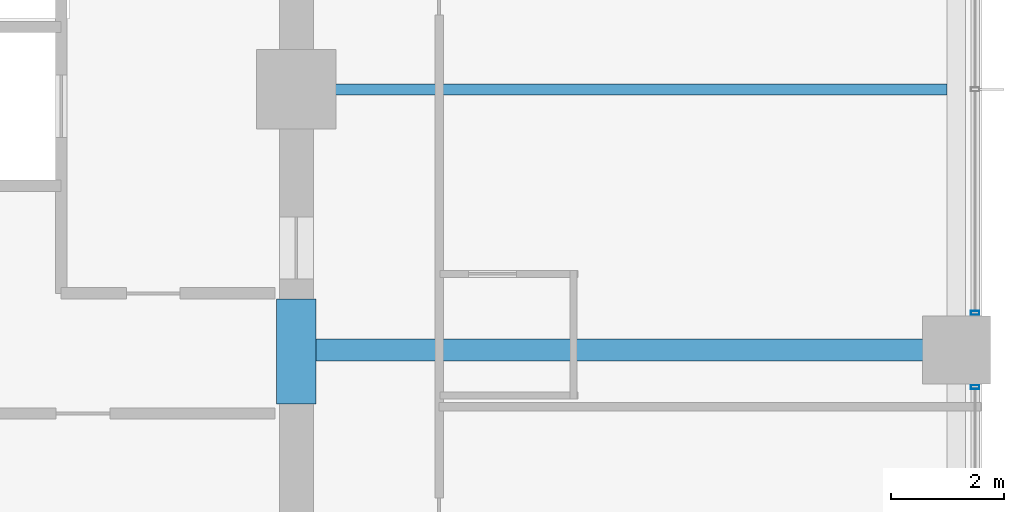
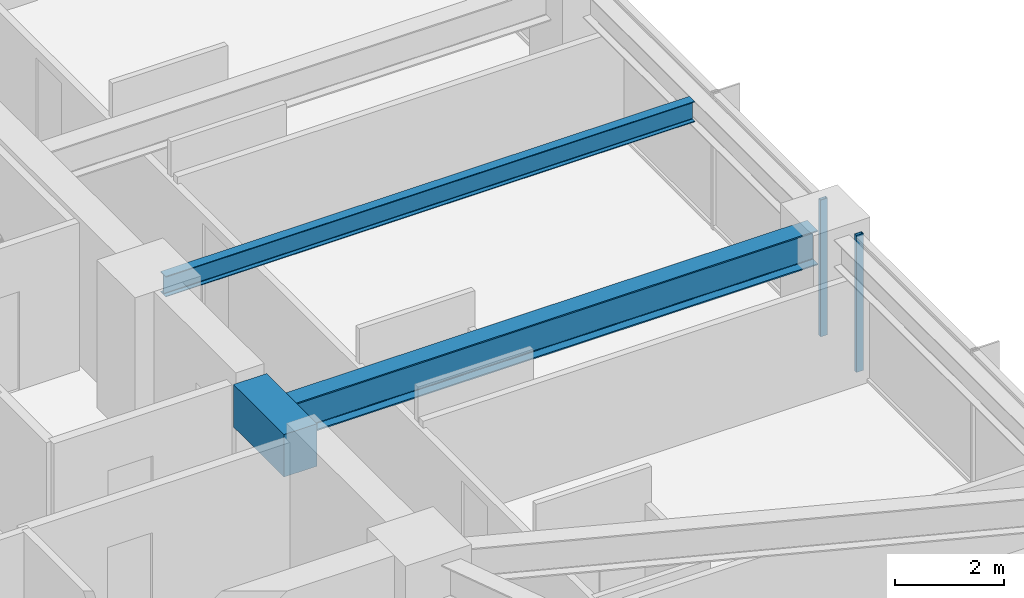
# One storey, part 14 of 38: 3 beams, 2 members, 2 elements without a shape of their own.
"""IFC4 building model written with IfcOpenShell, lengths in metres."""

import ifcopenshell
import ifcopenshell.guid

model = None  # the IFC model being written
_history = None  # IfcOwnerHistory: only IFC2X3 demands one
_inside = {}  # id of a spatial element -> (the spatial element, [elements in it])
_under = {}  # id of a project, library or spatial element -> (it, [spatial elements below it])
_declared = {}  # id of a project -> (the project, [libraries it declares])
_typed = {}  # id of a type object -> (the type object, [elements of that type])
_made_of = {}  # id of a material, layer set ... -> (it, [elements and type objects made of it])


def new_model(schema):
    """Start an empty IFC model of exactly this schema.

    Asked for "IFC4X3", IfcOpenShell would pick the latest addendum, in which some entities
    have other attributes; the version numbers below select the first issue.
    IFC2X3 requires an IfcOwnerHistory on every rooted entity: one is made here for all.
    """
    global model, _history
    if schema == "IFC4X3":
        model = ifcopenshell.file(schema_version=(4, 3, 0, 0))
    else:
        model = ifcopenshell.file(schema=schema)
    _inside.clear()
    _under.clear()
    _declared.clear()
    _typed.clear()
    _made_of.clear()
    _history = None
    if model.schema == "IFC2X3":
        org = make("IfcOrganization", Name="unknown")
        user = make(
            "IfcPersonAndOrganization",
            ThePerson=make("IfcPerson", FamilyName="unknown"),
            TheOrganization=org,
        )
        app = make(
            "IfcApplication",
            ApplicationDeveloper=org,
            Version="unknown",
            ApplicationFullName="unknown",
            ApplicationIdentifier="unknown",
        )
        _history = make(
            "IfcOwnerHistory",
            OwningUser=user,
            OwningApplication=app,
            ChangeAction="ADDED",
            CreationDate=0,
        )
    return model


def make(cls, **values):
    """One entity of the class cls with the attributes given. An attribute that is None is left unset."""
    return model.create_entity(
        cls, **{name: value for name, value in values.items() if value is not None}
    )


def rooted(cls, **values):
    """An entity with a GlobalId (a new one), such as an element, a storey or a relation."""
    return make(cls, GlobalId=ifcopenshell.guid.new(), OwnerHistory=_history, **values)


def si_unit(unit_type, name, prefix=None):
    """IfcSIUnit, for example si_unit("LENGTHUNIT", "METRE", prefix="MILLI")."""
    return make("IfcSIUnit", UnitType=unit_type, Prefix=prefix, Name=name)


def assignment(units):
    """IfcUnitAssignment: the units of a project."""
    return None if units is None else make("IfcUnitAssignment", Units=units)


def point(xyz):
    """IfcCartesianPoint."""
    return None if xyz is None else make("IfcCartesianPoint", Coordinates=xyz)


def direction(xyz):
    """IfcDirection."""
    return None if xyz is None else make("IfcDirection", DirectionRatios=xyz)


def frame(location, z_axis=None, x_axis=None):
    """IfcAxis2Placement3D, a coordinate frame: its origin and axes. An axis left out is left unset."""
    return make(
        "IfcAxis2Placement3D",
        Location=point(location),
        Axis=direction(z_axis),
        RefDirection=direction(x_axis),
    )


def frame_2d(location, x_axis=None):
    """IfcAxis2Placement2D, a coordinate frame in the plane: its origin and x axis."""
    return make(
        "IfcAxis2Placement2D", Location=point(location), RefDirection=direction(x_axis)
    )


def origin():
    """The frame at (0, 0, 0) with its axes left unset."""
    return frame((0.0, 0.0, 0.0))


def origin_2d():
    """The frame at (0, 0) in the plane with its x axis left unset."""
    return frame_2d((0.0, 0.0))


def place(relative_to, where):
    """IfcLocalPlacement: puts the frame where relative to a parent placement (None: the world)."""
    return make(
        "IfcLocalPlacement", PlacementRelTo=relative_to, RelativePlacement=where
    )


def context(
    kind, dimensions, precision=None, world=None, true_north=None, identifier=None
):
    """IfcGeometricRepresentationContext, for example the 3D "Model" context."""
    return make(
        "IfcGeometricRepresentationContext",
        ContextIdentifier=identifier,
        ContextType=kind,
        CoordinateSpaceDimension=dimensions,
        Precision=precision,
        WorldCoordinateSystem=world,
        TrueNorth=true_north,
    )


def subcontext(parent, identifier, kind, view, scale=None):
    """IfcGeometricRepresentationSubContext, for example "Body" below "Model"."""
    return make(
        "IfcGeometricRepresentationSubContext",
        ContextIdentifier=identifier,
        ContextType=kind,
        ParentContext=parent,
        TargetScale=scale,
        TargetView=view,
    )


def project(units=None, contexts=None):
    """IfcProject with its units and contexts."""
    return rooted(
        "IfcProject",
        Name="project",
        RepresentationContexts=contexts,
        UnitsInContext=assignment(units),
    )


def spatial(cls, under=None, at=None, **own):
    """A site, building, storey or space (cls), placed at a placement, below another one or the project."""
    s = rooted(cls, ObjectPlacement=at, **own)
    if under is not None:
        _under.setdefault(under.id(), (under, []))[1].append(s)
    return s


def profile(cls, at=None, kind="AREA", **sizes):
    """A parametric profile (cls). Its sizes go by their IFC names, for example OverallWidth=200.0."""
    return make(cls, ProfileType=kind, Position=at, **sizes)


def rectangle(**sizes):
    """IfcRectangleProfileDef."""
    return profile("IfcRectangleProfileDef", **sizes)


def hollow_rectangle(**sizes):
    """IfcRectangleHollowProfileDef."""
    return profile("IfcRectangleHollowProfileDef", **sizes)


def i_section(**sizes):
    """IfcIShapeProfileDef."""
    return profile("IfcIShapeProfileDef", **sizes)


def extrude(swept, where, along, depth):
    """IfcExtrudedAreaSolid: the profile swept, set in the frame where, extruded along a direction by depth."""
    return make(
        "IfcExtrudedAreaSolid",
        SweptArea=swept,
        Position=where,
        ExtrudedDirection=direction(along),
        Depth=depth,
    )


def shape(context_of_items, identifier, shape_type, items):
    """IfcShapeRepresentation: the items that make up one representation, for example the "Body"."""
    return make(
        "IfcShapeRepresentation",
        ContextOfItems=context_of_items,
        RepresentationIdentifier=identifier,
        RepresentationType=shape_type,
        Items=items,
    )


def material(Name=None, Category=None):
    """IfcMaterial."""
    return make("IfcMaterial", Name=Name, Category=Category)


def material_profile(
    of_material, cross_section, Name=None, Category=None, Priority=None
):
    """IfcMaterialProfile: a cross section and its material."""
    return make(
        "IfcMaterialProfile",
        Name=Name,
        Material=of_material,
        Profile=cross_section,
        Priority=Priority,
        Category=Category,
    )


def profile_set(profiles, Name=None, composite=None):
    """IfcMaterialProfileSet."""
    return make(
        "IfcMaterialProfileSet",
        Name=Name,
        MaterialProfiles=profiles,
        CompositeProfile=composite,
    )


def made_of(thing, what):
    """Note that an element or type object is made of a material, layer set ...; save() writes the relation."""
    if what is not None:
        _made_of.setdefault(what.id(), (what, []))[1].append(thing)
    return thing


def type_object(cls, material=None, **own):
    """A type object (cls), such as IfcWallType, which elements share."""
    return made_of(rooted(cls, **own), material)


def element(
    cls,
    number,
    at=None,
    inside=None,
    cuts=None,
    type_object=None,
    material=None,
    context=None,
    identifier="Body",
    shape_type=None,
    held_by="IfcProductDefinitionShape",
    body=None,
    shapes=None,
    **own,
):
    """One element of the class cls, such as IfcWall. Its Tag is "e" and its number.

    at: its placement. inside: the storey or other place that contains it. cuts: it is an
    opening in that element (IfcRelVoidsElement). A single representation is given by context,
    identifier, shape_type and body (its items); several are given by shapes. held_by: the class
    of the entity that holds the representations. save() writes the other relations.
    """
    e = rooted(cls, Tag="e%d" % number, ObjectPlacement=at, **own)
    if body is not None:
        shapes = [shape(context, identifier, shape_type, body)]
    if shapes is not None:
        e.Representation = make(held_by, Representations=shapes)
    if inside is not None:
        _inside.setdefault(inside.id(), (inside, []))[1].append(e)
    if cuts is not None:
        rooted(
            "IfcRelVoidsElement", RelatingBuildingElement=cuts, RelatedOpeningElement=e
        )
    if type_object is not None:
        _typed.setdefault(type_object.id(), (type_object, []))[1].append(e)
    return made_of(e, material)


def aggregate(whole, parts):
    """IfcRelAggregates: a whole, such as a stair, and the parts it consists of."""
    return rooted("IfcRelAggregates", RelatingObject=whole, RelatedObjects=parts)


def save(model, path):
    """Write the relations noted so far, then the file.

    IfcRelAggregates (storeys below a building ...), IfcRelContainedInSpatialStructure (elements
    in a storey), IfcRelDefinesByType, IfcRelAssociatesMaterial and IfcRelDeclares: one each for
    every whole, place, type object, material and project.
    """
    for whole, parts in _under.values():
        aggregate(whole, parts)
    for where, things in _inside.values():
        rooted(
            "IfcRelContainedInSpatialStructure",
            RelatedElements=things,
            RelatingStructure=where,
        )
    for kind, things in _typed.values():
        rooted("IfcRelDefinesByType", RelatedObjects=things, RelatingType=kind)
    for what, things in _made_of.values():
        rooted("IfcRelAssociatesMaterial", RelatedObjects=things, RelatingMaterial=what)
    for by, libraries in _declared.values():
        rooted("IfcRelDeclares", RelatingContext=by, RelatedDefinitions=libraries)
    model.write(path)


model = new_model("IFC4")

# Units and contexts
model_context = context("Model", 3, precision=1e-05, world=origin(), true_north=direction((0.0, 1.0)))
body_context = subcontext(model_context, "Body", "Model", "MODEL_VIEW")
ifc_project = project(units=[si_unit("LENGTHUNIT", "METRE"), si_unit("AREAUNIT", "SQUARE_METRE"), si_unit("VOLUMEUNIT", "CUBIC_METRE"), si_unit("PLANEANGLEUNIT", "RADIAN"), si_unit("MASSUNIT", "GRAM", prefix="KILO")], contexts=[model_context])

# Site, building, storey
site_placement = place(None, origin())
site = spatial("IfcSite", under=ifc_project, at=site_placement, CompositionType="ELEMENT")
building_placement = place(site_placement, origin())
building = spatial("IfcBuilding", under=site, at=building_placement, Name="Kolvaren Belvedere", CompositionType="ELEMENT")
storey_placement = place(building_placement, frame((0.0, 0.0, 27.10009765625)))
storey = spatial("IfcBuildingStorey", under=building, at=storey_placement, Name="L07", CompositionType="ELEMENT", Elevation=27.10009765625)

# Beams
ifc_material_1 = material(Name="Structural steel ASTM A992 Grade 50", Category="steel")
ifc_material_profile_1 = material_profile(ifc_material_1, i_section(OverallWidth=0.381103515625, OverallDepth=0.77294921875, WebThickness=0.0166015625, FlangeThickness=0.027099609375, FilletRadius=0.02392578125, at=origin_2d()), Name="W30X173")
ifc_profile_set_1 = profile_set([ifc_material_profile_1], Name="Structural steel ASTM A992 Grade 50")
beam_type_1 = type_object("IfcBeamType", Name="BM-GIRD-W30X173", PredefinedType="BEAM", material=ifc_profile_set_1)
beam_1_placement = place(storey_placement, frame((10.199951171875, -4.60009765625, 2.67333984375), z_axis=(1.0, 0.0, 0.0), x_axis=(0.0, 1.0, 0.0)))
element("IfcBeam", 1, at=beam_1_placement, inside=storey, type_object=beam_type_1, Name="L07 East Radial Girder M", PredefinedType="BEAM", context=body_context, shape_type="SweptSolid", body=[
    extrude(i_section(OverallWidth=0.381103515625, OverallDepth=0.77294921875, WebThickness=0.0166015625, FlangeThickness=0.027099609375, FilletRadius=0.02392578125, at=origin_2d()), origin(), (0.0, 0.0, 1.0), 11.080078125),
])
ifc_material_2 = material(Name="Structural steel ASTM A992 Grade 50", Category="steel")
ifc_material_profile_2 = material_profile(ifc_material_2, i_section(OverallWidth=0.19091796875, OverallDepth=0.4599609375, WebThickness=0.010009765625, FlangeThickness=0.01611328125, FilletRadius=0.014892578125, at=origin_2d()), Name="W18X55")
ifc_profile_set_2 = profile_set([ifc_material_profile_2], Name="Structural steel ASTM A992 Grade 50")
beam_type_2 = type_object("IfcBeamType", Name="BM-JOIST-W18X55", PredefinedType="BEAM", material=ifc_profile_set_2)
beam_2_placement = place(storey_placement, frame((10.199951171875, 0.0, 2.829833984375), z_axis=(1.0, 0.0, 0.0), x_axis=(0.0, 1.0, 0.0)))
element("IfcBeam", 2, at=beam_2_placement, inside=storey, type_object=beam_type_2, Name="L07 East Centre Floor Beam", PredefinedType="BEAM", context=body_context, shape_type="SweptSolid", body=[
    extrude(i_section(OverallWidth=0.19091796875, OverallDepth=0.4599609375, WebThickness=0.010009765625, FlangeThickness=0.01611328125, FilletRadius=0.014892578125, at=origin_2d()), origin(), (0.0, 0.0, 1.0), 11.1875),
])
ifc_material_3 = material(Name="Concrete C60/75", Category="concrete")
ifc_material_profile_3 = material_profile(ifc_material_3, rectangle(XDim=0.699951171875, YDim=0.949951171875, at=origin_2d()), Name="RC 700X950")
ifc_profile_set_3 = profile_set([ifc_material_profile_3], Name="Concrete C60/75")
beam_type_3 = type_object("IfcBeamType", Name="BM-LINT-950", PredefinedType="LINTEL", material=ifc_profile_set_3)
beam_3_placement = place(storey_placement, frame((9.89990234375, -5.550048828125, 2.5849609375), z_axis=(0.0, 1.0, 0.0), x_axis=(-1.0, 0.0, 0.0)))
element("IfcBeam", 3, at=beam_3_placement, inside=storey, type_object=beam_type_3, Name="L07 East Core Coupling Lintel", PredefinedType="LINTEL", context=body_context, shape_type="SweptSolid", body=[
    extrude(rectangle(XDim=0.699951171875, YDim=0.949951171875, at=origin_2d()), origin(), (0.0, 0.0, 1.0), 1.85009765625),
])

# Curtain wall, member
ifc_material_4 = material(Name="Anodised pale-metal aluminium AA 6063-T6", Category="aluminium")
curtain_wall_type = type_object("IfcCurtainWallType", Name="CW-Z1-LOW", PredefinedType="NOTDEFINED", material=ifc_material_4)
curtain_wall_1_placement = place(storey_placement, origin())
curtain_wall_1 = element("IfcCurtainWall", 4, at=curtain_wall_1_placement, inside=storey, type_object=curtain_wall_type, Name="L07 Unitised Curtain Wall FCW-L07-E-B2", PredefinedType="NOTDEFINED")
ifc_material_5 = material(Name="Anodised pale-metal aluminium AA 6063-T6", Category="aluminium")
ifc_material_profile_4 = material_profile(ifc_material_5, hollow_rectangle(XDim=0.070068359375, YDim=0.14990234375, WallThickness=0.004150390625, at=origin_2d()), Name="ALU-MUL-150X70")
ifc_profile_set_4 = profile_set([ifc_material_profile_4], Name="Anodised pale-metal aluminium AA 6063-T6")
member_type = type_object("IfcMemberType", Name="CW-MUL-150", PredefinedType="MULLION", material=ifc_profile_set_4)
member_1_placement = place(storey_placement, frame((21.8798828125, -3.945068359375, 0.0), z_axis=(0.0, 0.0, 1.0), x_axis=(0.0, 1.0, 0.0)))
member_1 = element("IfcMember", 5, at=member_1_placement, type_object=member_type, Name="FCW-L07-E-B2 Unitised Mullion 3", PredefinedType="MULLION", context=body_context, shape_type="SweptSolid", body=[
    extrude(hollow_rectangle(XDim=0.070068359375, YDim=0.14990234375, WallThickness=0.004150390625, at=origin_2d()), origin(), (0.0, 0.0, 1.0), 3.059814453125),
])
aggregate(curtain_wall_1, [member_1])

curtain_wall_2_placement = place(storey_placement, origin())
curtain_wall_2 = element("IfcCurtainWall", 6, at=curtain_wall_2_placement, inside=storey, type_object=curtain_wall_type, Name="L07 Unitised Curtain Wall FCW-L07-E-B3", PredefinedType="NOTDEFINED")
member_2_placement = place(storey_placement, frame((21.8798828125, -5.2548828125, 0.0), z_axis=(0.0, 0.0, 1.0), x_axis=(0.0, 1.0, 0.0)))
member_2 = element("IfcMember", 7, at=member_2_placement, type_object=member_type, Name="FCW-L07-E-B3 Unitised Mullion 1", PredefinedType="MULLION", context=body_context, shape_type="SweptSolid", body=[
    extrude(hollow_rectangle(XDim=0.070068359375, YDim=0.14990234375, WallThickness=0.004150390625, at=origin_2d()), origin(), (0.0, 0.0, 1.0), 3.059814453125),
])
aggregate(curtain_wall_2, [member_2])

save(model, "model.ifc")
